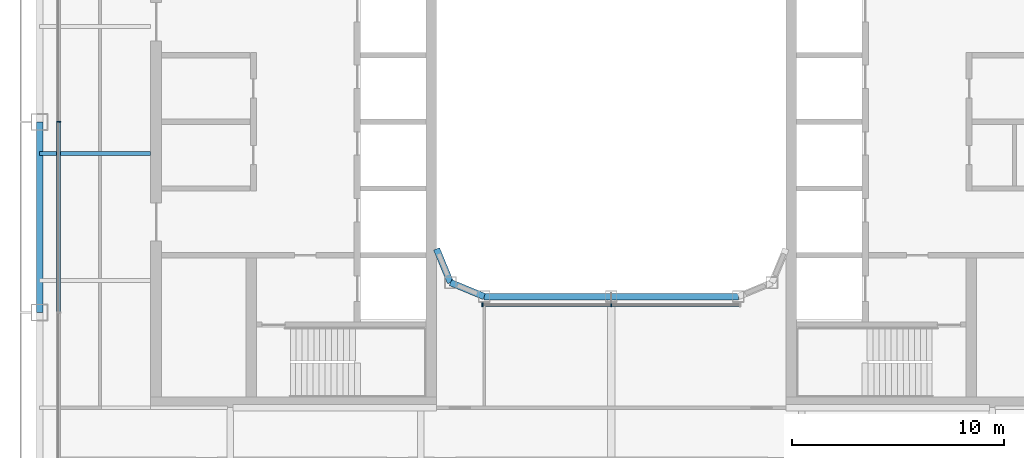
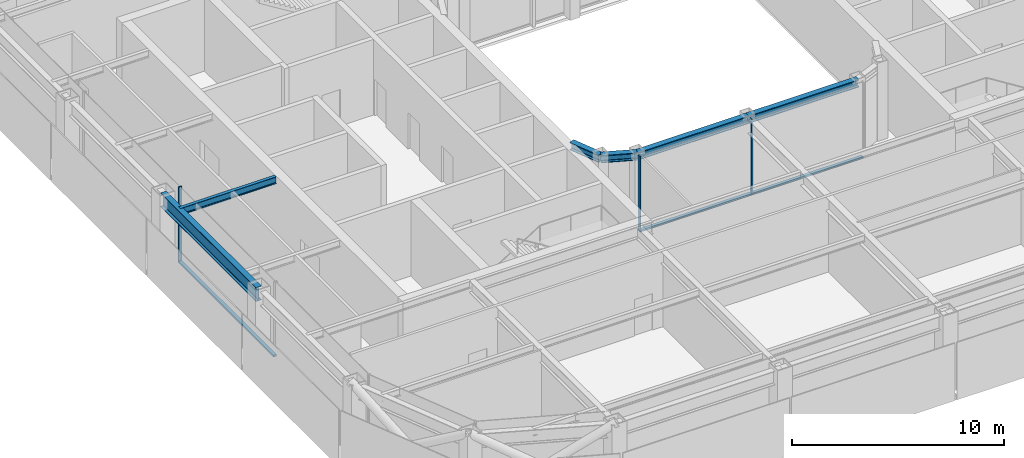
# One storey, part 3 of 19: 6 beams, 6 members, 2 elements without a shape of their own.
"""IFC4 building model written with IfcOpenShell, lengths in metres."""

from ifc_helpers import new_model, si_unit, direction, frame, origin, origin_2d, place, context, subcontext, project, spatial, rectangle, i_section, extrude, material, layer, layer_set, material_profile, profile_set, type_object, element, aggregate, save


model = new_model("IFC4")

# Units and contexts
model_context = context("Model", 3, precision=1e-05, world=origin(), true_north=direction((0.0, 1.0)))
body_context = subcontext(model_context, "Body", "Model", "MODEL_VIEW")
ifc_project = project(units=[si_unit("LENGTHUNIT", "METRE"), si_unit("AREAUNIT", "SQUARE_METRE"), si_unit("VOLUMEUNIT", "CUBIC_METRE"), si_unit("PLANEANGLEUNIT", "RADIAN"), si_unit("MASSUNIT", "GRAM", prefix="KILO")], contexts=[model_context])

# Site, building, storey
site_placement = place(None, origin())
site = spatial("IfcSite", under=ifc_project, at=site_placement, CompositionType="ELEMENT")
building_placement = place(site_placement, origin())
building = spatial("IfcBuilding", under=site, at=building_placement, Name="Siwar Civic Tower", CompositionType="ELEMENT")
storey_placement = place(building_placement, frame((0.0, 0.0, 246.699951171875)))
storey = spatial("IfcBuildingStorey", under=building, at=storey_placement, Name="L53", CompositionType="ELEMENT", Elevation=246.699951171875)

# Curtain wall, member
ifc_material_1 = material(Name="Aluminium and glass", Category="aluminium")
ifc_layer_1 = layer(ifc_material_1, 0.179931640625)
ifc_layer_set_1 = layer_set([ifc_layer_1], Name="Aluminium and glass")
curtain_wall_type_1 = type_object("IfcCurtainWallType", Name="ENV-CW-C", PredefinedType="NOTDEFINED", material=ifc_layer_set_1)
curtain_wall_1_placement = place(storey_placement, origin())
curtain_wall_1 = element("IfcCurtainWall", 1, at=curtain_wall_1_placement, inside=storey, type_object=curtain_wall_type_1, Name="Curtain wall C W", PredefinedType="NOTDEFINED")
ifc_material_2 = material(Name="Aluminium 6063-T6", Category="aluminium")
ifc_material_profile_1 = material_profile(ifc_material_2, rectangle(XDim=0.179931640625, YDim=0.06005859375, at=origin_2d()), Name="AL 180x60")
ifc_profile_set_1 = profile_set([ifc_material_profile_1], Name="Aluminium 6063-T6")
member_type_1 = type_object("IfcMemberType", Name="ENV-MULLION-C", PredefinedType="MULLION", material=ifc_profile_set_1)
member_1_placement = place(storey_placement, frame((-26.10009765625, 0.0, 0.0), z_axis=(0.0, 0.0, 1.0), x_axis=(1.0, 0.0, 0.0)))
member_1 = element("IfcMember", 2, at=member_1_placement, type_object=member_type_1, Name="Mullion C W 3", PredefinedType="MULLION", context=body_context, shape_type="SweptSolid", body=[
    extrude(rectangle(XDim=0.179931640625, YDim=0.06005859375, at=origin_2d()), origin(), (0.0, 0.0, 1.0), 4.35009765625),
])

# Curtain wall, members
ifc_material_3 = material(Name="Aluminium and glass", Category="aluminium")
ifc_layer_2 = layer(ifc_material_3, 0.179931640625)
ifc_layer_set_2 = layer_set([ifc_layer_2], Name="Aluminium and glass")
curtain_wall_type_2 = type_object("IfcCurtainWallType", Name="ENV-CW-W", PredefinedType="NOTDEFINED", material=ifc_layer_set_2)
curtain_wall_2_placement = place(storey_placement, origin())
curtain_wall_2 = element("IfcCurtainWall", 3, at=curtain_wall_2_placement, inside=storey, type_object=curtain_wall_type_2, Name="Curtain wall W WS", PredefinedType="NOTDEFINED")
ifc_material_4 = material(Name="Aluminium 6063-T6", Category="aluminium")
ifc_material_profile_2 = material_profile(ifc_material_4, rectangle(XDim=0.179931640625, YDim=0.06005859375, at=origin_2d()), Name="AL 180x60")
ifc_profile_set_2 = profile_set([ifc_material_profile_2], Name="Aluminium 6063-T6")
member_type_2 = type_object("IfcMemberType", Name="ENV-MULLION-W", PredefinedType="MULLION", material=ifc_profile_set_2)
member_2_placement = place(storey_placement, frame((-6.07666015625, -8.635009765625, 0.0), z_axis=(0.0, 0.0, 1.0), x_axis=(0.0, 1.0, 0.0)))
member_2 = element("IfcMember", 4, at=member_2_placement, type_object=member_type_2, Name="Mullion W WS 1", PredefinedType="MULLION", context=body_context, shape_type="SweptSolid", body=[
    extrude(rectangle(XDim=0.179931640625, YDim=0.06005859375, at=origin_2d()), origin(), (0.0, 0.0, 1.0), 4.35009765625),
])
member_3_placement = place(storey_placement, frame((0.0, -8.635009765625, 0.0), z_axis=(0.0, 0.0, 1.0), x_axis=(0.0, 1.0, 0.0)))
member_3 = element("IfcMember", 5, at=member_3_placement, type_object=member_type_2, Name="Mullion W WS 2", PredefinedType="MULLION", context=body_context, shape_type="SweptSolid", body=[
    extrude(rectangle(XDim=0.179931640625, YDim=0.06005859375, at=origin_2d()), origin(), (0.0, 0.0, 1.0), 4.35009765625),
])

# Member
ifc_material_5 = material(Name="Aluminium 6063-T6", Category="aluminium")
ifc_material_profile_3 = material_profile(ifc_material_5, rectangle(XDim=0.179931640625, YDim=0.10009765625, at=origin_2d()), Name="AL 180x100")
ifc_profile_set_3 = profile_set([ifc_material_profile_3], Name="Aluminium 6063-T6")
member_type_3 = type_object("IfcMemberType", Name="ENV-TRANSOM-C", PredefinedType="USERDEFINED", material=ifc_profile_set_3)
member_4_placement = place(storey_placement, frame((-26.10009765625, -0.030029296875, 0.050048828125), z_axis=(0.0, -1.0, 0.0), x_axis=(1.0, 0.0, 0.0)))
member_4 = element("IfcMember", 6, at=member_4_placement, type_object=member_type_3, Name="Transom C W 3", ObjectType="TRANSOM", PredefinedType="USERDEFINED", context=body_context, shape_type="SweptSolid", body=[
    extrude(rectangle(XDim=0.179931640625, YDim=0.10009765625, at=origin_2d()), origin(), (0.0, 0.0, 1.0), 8.93994140625),
])

aggregate(curtain_wall_1, [member_1, member_4])

ifc_material_6 = material(Name="Aluminium 6063-T6", Category="aluminium")
ifc_material_profile_4 = material_profile(ifc_material_6, rectangle(XDim=0.179931640625, YDim=0.10009765625, at=origin_2d()), Name="AL 180x100")
ifc_profile_set_4 = profile_set([ifc_material_profile_4], Name="Aluminium 6063-T6")
member_type_4 = type_object("IfcMemberType", Name="ENV-TRANSOM-W", PredefinedType="USERDEFINED", material=ifc_profile_set_4)
member_5_placement = place(storey_placement, frame((-6.046630859375, -8.635009765625, 0.050048828125), z_axis=(1.0, 0.0, 0.0), x_axis=(0.0, 1.0, 0.0)))
member_5 = element("IfcMember", 7, at=member_5_placement, type_object=member_type_4, Name="Transom W WS 1", ObjectType="TRANSOM", PredefinedType="USERDEFINED", context=body_context, shape_type="SweptSolid", body=[
    extrude(rectangle(XDim=0.179931640625, YDim=0.10009765625, at=origin_2d()), origin(), (0.0, 0.0, 1.0), 6.0166015625),
])

member_6_placement = place(storey_placement, frame((0.030029296875, -8.635009765625, 0.050048828125), z_axis=(1.0, 0.0, 0.0), x_axis=(0.0, 1.0, 0.0)))
member_6 = element("IfcMember", 8, at=member_6_placement, type_object=member_type_4, Name="Transom W WS 2", ObjectType="TRANSOM", PredefinedType="USERDEFINED", context=body_context, shape_type="SweptSolid", body=[
    extrude(rectangle(XDim=0.179931640625, YDim=0.10009765625, at=origin_2d()), origin(), (0.0, 0.0, 1.0), 6.0166015625),
])

aggregate(curtain_wall_2, [member_2, member_3, member_5, member_6])

# Beams
ifc_material_7 = material(Name="Steel S355", Category="steel")
ifc_material_profile_5 = material_profile(ifc_material_7, i_section(OverallWidth=0.179931640625, OverallDepth=0.39990234375, WebThickness=0.008544921875, FlangeThickness=0.013427734375, FilletRadius=0.02099609375, at=origin_2d()), Name="IPE400")
ifc_profile_set_5 = profile_set([ifc_material_profile_5], Name="Steel S355")
beam_type_1 = type_object("IfcBeamType", Name="STR-FB-IPE400", PredefinedType="JOIST", material=ifc_profile_set_5)
beam_1_placement = place(storey_placement, frame((-27.0, -1.5, 4.150146484375), z_axis=(1.0, 0.0, 0.0), x_axis=(0.0, 1.0, 0.0)))
element("IfcBeam", 9, at=beam_1_placement, inside=storey, type_object=beam_type_1, Name="L53/bm/F023", PredefinedType="JOIST", context=body_context, shape_type="SweptSolid", body=[
    extrude(i_section(OverallWidth=0.179931640625, OverallDepth=0.39990234375, WebThickness=0.008544921875, FlangeThickness=0.013427734375, FilletRadius=0.02099609375, at=origin_2d()), origin(), (0.0, 0.0, 1.0), 5.25),
])
ifc_material_8 = material(Name="Steel S355", Category="steel")
ifc_material_profile_6 = material_profile(ifc_material_8, i_section(OverallWidth=0.306884765625, OverallDepth=0.431884765625, WebThickness=0.02099609375, FlangeThickness=0.0400390625, FilletRadius=0.027099609375, at=origin_2d()), Name="HEM400")
ifc_profile_set_6 = profile_set([ifc_material_profile_6], Name="Steel S355")
beam_type_2 = type_object("IfcBeamType", Name="STR-RB-HEM400", PredefinedType="BEAM", material=ifc_profile_set_6)
beam_2_placement = place(storey_placement, frame((-7.591064453125, -7.591064453125, 4.134033203125), z_axis=(0.923901072997, -0.382631424892, 0.0), x_axis=(0.382631424892, 0.923901072997, 0.0)))
element("IfcBeam", 10, at=beam_2_placement, inside=storey, type_object=beam_type_2, Name="L53/bm/RS0", PredefinedType="BEAM", context=body_context, shape_type="SweptSolid", body=[
    extrude(i_section(OverallWidth=0.306884765625, OverallDepth=0.431884765625, WebThickness=0.02099609375, FlangeThickness=0.0400390625, FilletRadius=0.027099609375, at=origin_2d()), origin(), (0.0, 0.0, 1.0), 1.72216796875),
])
for number, where, z_axis, x_axis, name in (
    (11, (-6.0, -8.25, 4.134033203125), (1.0, 0.0, 0.0), (0.0, 1.0, 0.0), "L53/bm/RS1"),
    (12, (0.0, -8.25, 4.134033203125), (1.0, 0.0, 0.0), (0.0, 1.0, 0.0), "L53/bm/RS2"),
):
    element("IfcBeam", number, at=place(storey_placement, frame(where, z_axis=z_axis, x_axis=x_axis)), inside=storey, type_object=beam_type_2, Name=name, PredefinedType="BEAM", context=body_context, shape_type="SweptSolid", body=[
        extrude(i_section(OverallWidth=0.306884765625, OverallDepth=0.431884765625, WebThickness=0.02099609375, FlangeThickness=0.0400390625, FilletRadius=0.027099609375, at=origin_2d()), origin(), (0.0, 0.0, 1.0), 6.0),
    ])
beam_3_placement = place(storey_placement, frame((-7.591064453125, -7.591064453125, 4.134033203125), z_axis=(-0.382631424892, 0.923901072997, 0.0), x_axis=(-0.923901072997, -0.382631424892, 0.0)))
element("IfcBeam", 13, at=beam_3_placement, inside=storey, type_object=beam_type_2, Name="L53/bm/RSEW", PredefinedType="BEAM", context=body_context, shape_type="SweptSolid", body=[
    extrude(i_section(OverallWidth=0.306884765625, OverallDepth=0.431884765625, WebThickness=0.02099609375, FlangeThickness=0.0400390625, FilletRadius=0.027099609375, at=origin_2d()), origin(), (0.0, 0.0, 1.0), 1.72216796875),
])
ifc_material_9 = material(Name="Steel S355", Category="steel")
ifc_material_profile_7 = material_profile(ifc_material_9, i_section(OverallWidth=0.300048828125, OverallDepth=0.800048828125, WebThickness=0.017578125, FlangeThickness=0.032958984375, FilletRadius=0.030029296875, at=origin_2d()), Name="HEB800")
ifc_profile_set_7 = profile_set([ifc_material_profile_7], Name="Steel S355")
beam_type_3 = type_object("IfcBeamType", Name="STR-SB-HEB800", PredefinedType="BEAM", material=ifc_profile_set_7)
beam_4_placement = place(storey_placement, frame((-27.0, 0.0, 3.949951171875), z_axis=(0.0, -1.0, 0.0), x_axis=(1.0, 0.0, 0.0)))
element("IfcBeam", 14, at=beam_4_placement, inside=storey, type_object=beam_type_3, Name="L53/bm/SW-2", PredefinedType="BEAM", context=body_context, shape_type="SweptSolid", body=[
    extrude(i_section(OverallWidth=0.300048828125, OverallDepth=0.800048828125, WebThickness=0.017578125, FlangeThickness=0.032958984375, FilletRadius=0.030029296875, at=origin_2d()), origin(), (0.0, 0.0, 1.0), 9.0),
])

save(model, "model.ifc")
